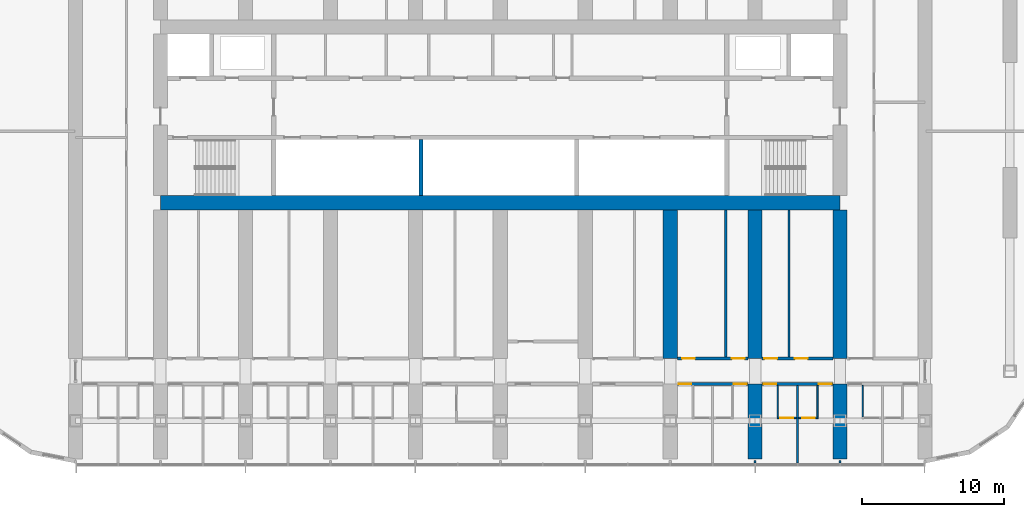
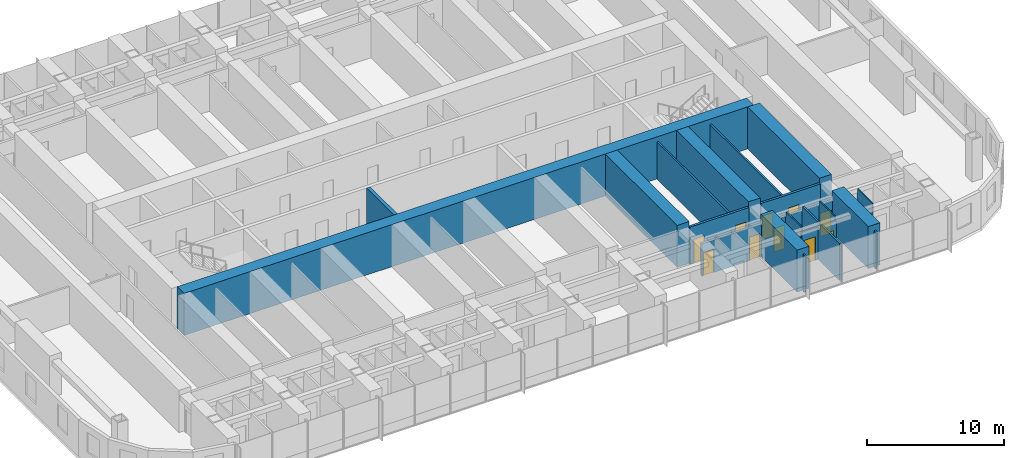
# One storey, part 13 of 24: 21 walls, 10 doors, 10 openings.
"""IFC4 building model written with IfcOpenShell, lengths in metres."""

from ifc_helpers import new_model, si_unit, direction, frame, frame_2d, origin, place, context, subcontext, project, spatial, polyline, rectangle, outline, extrude, material, layer, layer_set, type_object, element, fill, save


model = new_model("IFC4")

# Units and contexts
model_context = context("Model", 3, precision=1e-05, world=origin(), true_north=direction((0.0, 1.0)))
body_context = subcontext(model_context, "Body", "Model", "MODEL_VIEW")
ifc_project = project(units=[si_unit("LENGTHUNIT", "METRE"), si_unit("AREAUNIT", "SQUARE_METRE"), si_unit("VOLUMEUNIT", "CUBIC_METRE"), si_unit("PLANEANGLEUNIT", "RADIAN"), si_unit("MASSUNIT", "GRAM", prefix="KILO")], contexts=[model_context])

# Site, building, storey
site_placement = place(None, origin())
site = spatial("IfcSite", under=ifc_project, at=site_placement, CompositionType="ELEMENT")
building_placement = place(site_placement, origin())
building = spatial("IfcBuilding", under=site, at=building_placement, Name="Orbita Commons", CompositionType="ELEMENT")
storey_placement = place(building_placement, frame((0.0, 0.0, 35.199951171875)))
storey = spatial("IfcBuildingStorey", under=building, at=storey_placement, Name="L08", CompositionType="ELEMENT", Elevation=35.199951171875)

# Walls
ifc_material_1 = material(Name="Concrete C50/60", Category="concrete")
ifc_layer_1 = layer(ifc_material_1, 0.300048828125)
ifc_layer_set_1 = layer_set([ifc_layer_1], Name="Concrete C50/60")
wall_type_1 = type_object("IfcWallType", Name="Core inner wall 300 C50/60", PredefinedType="SHEAR", material=ifc_layer_set_1)
wall_1_placement = place(storey_placement, frame((36.39990234375, 26.300048828125, 0.0), z_axis=(0.0, 0.0, 1.0), x_axis=(0.0, 1.0, 0.0)))
element("IfcWall", 1, at=wall_1_placement, inside=storey, type_object=wall_type_1, Name="Hoistway division wall L08", PredefinedType="SHEAR", context=body_context, shape_type="SweptSolid", body=[
    extrude(rectangle(XDim=3.949951171875, YDim=0.300048828125, at=frame_2d((1.97509765625, 0.0))), origin(), (0.0, 0.0, 1.0), 3.75),
])
ifc_material_2 = material(Name="Concrete C50/60", Category="concrete")
ifc_layer_2 = layer(ifc_material_2, 1.0)
ifc_layer_set_2 = layer_set([ifc_layer_2], Name="Concrete C50/60")
wall_type_2 = type_object("IfcWallType", Name="Core wall 1000 C50/60", PredefinedType="SHEAR", material=ifc_layer_set_2)
wall_2_placement = place(storey_placement, frame((18.0, 25.800048828125, 0.0), z_axis=(0.0, 0.0, 1.0), x_axis=(1.0, 0.0, 0.0)))
element("IfcWall", 2, at=wall_2_placement, inside=storey, type_object=wall_type_2, Name="Core spine wall south L08", PredefinedType="SHEAR", context=body_context, shape_type="SweptSolid", body=[
    extrude(rectangle(XDim=48.0, YDim=1.0, at=frame_2d((24.0, 0.0))), origin(), (0.0, 0.0, 1.0), 3.75),
])

# Wall, openings, doors
ifc_material_3 = material(Name="Concrete blockwork", Category="masonry")
ifc_layer_3 = layer(ifc_material_3, 0.199951171875)
ifc_layer_set_3 = layer_set([ifc_layer_3], Name="Concrete blockwork")
wall_type_3 = type_object("IfcWallType", Name="Corridor wall 200 blockwork", PredefinedType="SOLIDWALL", material=ifc_layer_set_3)
wall_3_placement = place(storey_placement, frame((54.5, 13.0, 0.0), z_axis=(0.0, 0.0, 1.0), x_axis=(1.0, 0.0, 0.0)))
wall_3 = element("IfcWall", 3, at=wall_3_placement, inside=storey, type_object=wall_type_3, Name="Corridor wall 200 blockwork L08", PredefinedType="SOLIDWALL", context=body_context, shape_type="SweptSolid", body=[
    extrude(outline(polyline([(0.0, 0.0), (5.0, 0.0), (5.0, 2.900146484375), (0.0, 2.900146484375), (0.0, 0.0)])), frame((0.0, 0.10009765625, 0.0), z_axis=(0.0, -1.0, 0.0), x_axis=(1.0, 0.0, 0.0)), (0.0, 0.0, 1.0), 0.199951171875),
])
opening_1_placement = place(wall_3_placement, frame((0.10009765625, 0.0, 0.0)))
opening_1 = element("IfcOpeningElement", 4, at=opening_1_placement, cuts=wall_3, Name="Opening D11", PredefinedType="OPENING", context=body_context, shape_type="SweptSolid", body=[
    extrude(rectangle(XDim=0.89990234375, YDim=2.10009765625, at=frame_2d((0.449951171875, 1.050048828125))), frame((0.0, 0.10986328125, 0.0), z_axis=(0.0, -1.0, 0.0), x_axis=(1.0, 0.0, 0.0)), (0.0, 0.0, 1.0), 0.219970703125),
])
opening_2_placement = place(wall_3_placement, frame((4.0, 0.0, 0.0)))
opening_2 = element("IfcOpeningElement", 5, at=opening_2_placement, cuts=wall_3, Name="Opening D11", PredefinedType="OPENING", context=body_context, shape_type="SweptSolid", body=[
    extrude(rectangle(XDim=0.89990234375, YDim=2.10009765625, at=frame_2d((0.449951171875, 1.050048828125))), frame((0.0, 0.10986328125, 0.0), z_axis=(0.0, -1.0, 0.0), x_axis=(1.0, 0.0, 0.0)), (0.0, 0.0, 1.0), 0.219970703125),
])
ifc_material_4 = material(Name="Steel-faced fire door leaf", Category="steel")
door_type_1 = type_object("IfcDoorType", Name="Corridor door 20 min 900x2100", OperationType="SINGLE_SWING_LEFT", PredefinedType="DOOR", material=ifc_material_4)
door_1_placement = place(opening_1_placement, origin())
door_1 = element("IfcDoor", 6, at=door_1_placement, inside=storey, type_object=door_type_1, Name="House bedroom L08-S14 door", OperationType="SINGLE_SWING_LEFT", OverallHeight=2.10009765625, OverallWidth=0.89990234375, PredefinedType="DOOR", context=body_context, shape_type="SweptSolid", body=[
    extrude(rectangle(XDim=0.89990234375, YDim=2.10009765625, at=frame_2d((0.449951171875, 1.050048828125))), frame((0.0, 0.02490234375, 0.0), z_axis=(0.0, -1.0, 0.0), x_axis=(1.0, 0.0, 0.0)), (0.0, 0.0, 1.0), 0.050048828125),
])
fill(opening_1, door_1)
door_2_placement = place(opening_2_placement, origin())
door_2 = element("IfcDoor", 7, at=door_2_placement, inside=storey, type_object=door_type_1, Name="House bedroom L08-S15 door", OperationType="SINGLE_SWING_LEFT", OverallHeight=2.10009765625, OverallWidth=0.89990234375, PredefinedType="DOOR", context=body_context, shape_type="SweptSolid", body=[
    extrude(rectangle(XDim=0.89990234375, YDim=2.10009765625, at=frame_2d((0.449951171875, 1.050048828125))), frame((0.0, 0.02490234375, 0.0), z_axis=(0.0, -1.0, 0.0), x_axis=(1.0, 0.0, 0.0)), (0.0, 0.0, 1.0), 0.050048828125),
])
fill(opening_2, door_2)

wall_4_placement = place(storey_placement, frame((60.5, 13.0, 0.0), z_axis=(0.0, 0.0, 1.0), x_axis=(1.0, 0.0, 0.0)))
wall_4 = element("IfcWall", 8, at=wall_4_placement, inside=storey, type_object=wall_type_3, Name="Corridor wall 200 blockwork L08", PredefinedType="SOLIDWALL", context=body_context, shape_type="SweptSolid", body=[
    extrude(outline(polyline([(0.0, 0.0), (5.0, 0.0), (5.0, 2.900146484375), (0.0, 2.900146484375), (0.0, 0.0)])), frame((0.0, 0.10009765625, 0.0), z_axis=(0.0, -1.0, 0.0), x_axis=(1.0, 0.0, 0.0)), (0.0, 0.0, 1.0), 0.199951171875),
])
opening_3_placement = place(wall_4_placement, frame((0.10009765625, 0.0, 0.0)))
opening_3 = element("IfcOpeningElement", 9, at=opening_3_placement, cuts=wall_4, Name="Opening D11", PredefinedType="OPENING", context=body_context, shape_type="SweptSolid", body=[
    extrude(rectangle(XDim=0.89990234375, YDim=2.10009765625, at=frame_2d((0.449951171875, 1.050048828125))), frame((0.0, 0.10986328125, 0.0), z_axis=(0.0, -1.0, 0.0), x_axis=(1.0, 0.0, 0.0)), (0.0, 0.0, 1.0), 0.219970703125),
])
opening_4_placement = place(wall_4_placement, frame((4.0, 0.0, 0.0)))
opening_4 = element("IfcOpeningElement", 10, at=opening_4_placement, cuts=wall_4, Name="Opening D11", PredefinedType="OPENING", context=body_context, shape_type="SweptSolid", body=[
    extrude(rectangle(XDim=0.89990234375, YDim=2.10009765625, at=frame_2d((0.449951171875, 1.050048828125))), frame((0.0, 0.10986328125, 0.0), z_axis=(0.0, -1.0, 0.0), x_axis=(1.0, 0.0, 0.0)), (0.0, 0.0, 1.0), 0.219970703125),
])
door_3_placement = place(opening_3_placement, origin())
door_3 = element("IfcDoor", 11, at=door_3_placement, inside=storey, type_object=door_type_1, Name="House bedroom L08-S16 door", OperationType="SINGLE_SWING_LEFT", OverallHeight=2.10009765625, OverallWidth=0.89990234375, PredefinedType="DOOR", context=body_context, shape_type="SweptSolid", body=[
    extrude(rectangle(XDim=0.89990234375, YDim=2.10009765625, at=frame_2d((0.449951171875, 1.050048828125))), frame((0.0, 0.02490234375, 0.0), z_axis=(0.0, -1.0, 0.0), x_axis=(1.0, 0.0, 0.0)), (0.0, 0.0, 1.0), 0.050048828125),
])
fill(opening_3, door_3)
door_4_placement = place(opening_4_placement, origin())
door_4 = element("IfcDoor", 12, at=door_4_placement, inside=storey, type_object=door_type_1, Name="House bedroom L08-S17 door", OperationType="SINGLE_SWING_LEFT", OverallHeight=2.10009765625, OverallWidth=0.89990234375, PredefinedType="DOOR", context=body_context, shape_type="SweptSolid", body=[
    extrude(rectangle(XDim=0.89990234375, YDim=2.10009765625, at=frame_2d((0.449951171875, 1.050048828125))), frame((0.0, 0.02490234375, 0.0), z_axis=(0.0, -1.0, 0.0), x_axis=(1.0, 0.0, 0.0)), (0.0, 0.0, 1.0), 0.050048828125),
])
fill(opening_4, door_4)

ifc_material_5 = material(Name="Hollow concrete block 200", Category="concrete")
ifc_layer_4 = layer(ifc_material_5, 0.199951171875)
ifc_layer_set_4 = layer_set([ifc_layer_4], Name="Hollow concrete block 200")
wall_type_4 = type_object("IfcWallType", Name="Corridor wall 200 hollow concrete block", PredefinedType="SOLIDWALL", material=ifc_layer_set_4)
wall_5_placement = place(storey_placement, frame((54.5, 14.800048828125, 0.0), z_axis=(0.0, 0.0, 1.0), x_axis=(1.0, 0.0, 0.0)))
wall_5 = element("IfcWall", 13, at=wall_5_placement, inside=storey, type_object=wall_type_4, Name="Corridor wall 200 hollow concrete block L08", PredefinedType="SOLIDWALL", context=body_context, shape_type="SweptSolid", body=[
    extrude(rectangle(XDim=5.0, YDim=0.199951171875, at=frame_2d((2.5, 0.0))), origin(), (0.0, 0.0, 1.0), 3.300048828125),
])
opening_5_placement = place(wall_5_placement, frame((0.35009765625, 0.0, 0.0)))
opening_5 = element("IfcOpeningElement", 14, at=opening_5_placement, cuts=wall_5, Name="Opening D11", PredefinedType="OPENING", context=body_context, shape_type="SweptSolid", body=[
    extrude(rectangle(XDim=0.89990234375, YDim=2.10009765625, at=frame_2d((0.449951171875, 1.050048828125))), frame((0.0, 0.10986328125, 0.0), z_axis=(0.0, -1.0, 0.0), x_axis=(1.0, 0.0, 0.0)), (0.0, 0.0, 1.0), 0.219970703125),
])
opening_6_placement = place(wall_5_placement, frame((3.85009765625, 0.0, 0.0)))
opening_6 = element("IfcOpeningElement", 15, at=opening_6_placement, cuts=wall_5, Name="Opening D11", PredefinedType="OPENING", context=body_context, shape_type="SweptSolid", body=[
    extrude(rectangle(XDim=0.89990234375, YDim=2.10009765625, at=frame_2d((0.449951171875, 1.050048828125))), frame((0.0, 0.10986328125, 0.0), z_axis=(0.0, -1.0, 0.0), x_axis=(1.0, 0.0, 0.0)), (0.0, 0.0, 1.0), 0.219970703125),
])
door_5_placement = place(opening_5_placement, origin())
door_5 = element("IfcDoor", 16, at=door_5_placement, inside=storey, type_object=door_type_1, Name="Ventilation plant room north L08-BDS54 door", OperationType="SINGLE_SWING_LEFT", OverallHeight=2.10009765625, OverallWidth=0.89990234375, PredefinedType="DOOR", context=body_context, shape_type="SweptSolid", body=[
    extrude(rectangle(XDim=0.89990234375, YDim=2.10009765625, at=frame_2d((0.449951171875, 1.050048828125))), frame((0.0, 0.02490234375, 0.0), z_axis=(0.0, -1.0, 0.0), x_axis=(1.0, 0.0, 0.0)), (0.0, 0.0, 1.0), 0.050048828125),
])
fill(opening_5, door_5)
door_6_placement = place(opening_6_placement, origin())
door_6 = element("IfcDoor", 17, at=door_6_placement, inside=storey, type_object=door_type_1, Name="Water heater cupboard L08-BDS54n door", OperationType="SINGLE_SWING_LEFT", OverallHeight=2.10009765625, OverallWidth=0.89990234375, PredefinedType="DOOR", context=body_context, shape_type="SweptSolid", body=[
    extrude(rectangle(XDim=0.89990234375, YDim=2.10009765625, at=frame_2d((0.449951171875, 1.050048828125))), frame((0.0, 0.02490234375, 0.0), z_axis=(0.0, -1.0, 0.0), x_axis=(1.0, 0.0, 0.0)), (0.0, 0.0, 1.0), 0.050048828125),
])
fill(opening_6, door_6)

wall_6_placement = place(storey_placement, frame((60.5, 14.800048828125, 0.0), z_axis=(0.0, 0.0, 1.0), x_axis=(1.0, 0.0, 0.0)))
wall_6 = element("IfcWall", 18, at=wall_6_placement, inside=storey, type_object=wall_type_4, Name="Corridor wall 200 hollow concrete block L08", PredefinedType="SOLIDWALL", context=body_context, shape_type="SweptSolid", body=[
    extrude(rectangle(XDim=5.0, YDim=0.199951171875, at=frame_2d((2.5, 0.0))), origin(), (0.0, 0.0, 1.0), 3.300048828125),
])
opening_7_placement = place(wall_6_placement, frame((0.14990234375, 0.0, 0.0)))
opening_7 = element("IfcOpeningElement", 19, at=opening_7_placement, cuts=wall_6, Name="Opening D11", PredefinedType="OPENING", context=body_context, shape_type="SweptSolid", body=[
    extrude(rectangle(XDim=0.89990234375, YDim=2.10009765625, at=frame_2d((0.449951171875, 1.050048828125))), frame((0.0, 0.10986328125, 0.0), z_axis=(0.0, -1.0, 0.0), x_axis=(1.0, 0.0, 0.0)), (0.0, 0.0, 1.0), 0.219970703125),
])
opening_8_placement = place(wall_6_placement, frame((2.31005859375, 0.0, 0.0)))
opening_8 = element("IfcOpeningElement", 20, at=opening_8_placement, cuts=wall_6, Name="Opening D11", PredefinedType="OPENING", context=body_context, shape_type="SweptSolid", body=[
    extrude(rectangle(XDim=0.89990234375, YDim=2.10009765625, at=frame_2d((0.449951171875, 1.050048828125))), frame((0.0, 0.10986328125, 0.0), z_axis=(0.0, -1.0, 0.0), x_axis=(1.0, 0.0, 0.0)), (0.0, 0.0, 1.0), 0.219970703125),
])
door_7_placement = place(opening_7_placement, origin())
door_7 = element("IfcDoor", 21, at=door_7_placement, inside=storey, type_object=door_type_1, Name="Equipment store L08-BDS60n door", OperationType="SINGLE_SWING_LEFT", OverallHeight=2.10009765625, OverallWidth=0.89990234375, PredefinedType="DOOR", context=body_context, shape_type="SweptSolid", body=[
    extrude(rectangle(XDim=0.89990234375, YDim=2.10009765625, at=frame_2d((0.449951171875, 1.050048828125))), frame((0.0, 0.02490234375, 0.0), z_axis=(0.0, -1.0, 0.0), x_axis=(1.0, 0.0, 0.0)), (0.0, 0.0, 1.0), 0.050048828125),
])
fill(opening_7, door_7)
door_8_placement = place(opening_8_placement, origin())
door_8 = element("IfcDoor", 22, at=door_8_placement, inside=storey, type_object=door_type_1, Name="Electrical and data room L08-BDS60 door", OperationType="SINGLE_SWING_LEFT", OverallHeight=2.10009765625, OverallWidth=0.89990234375, PredefinedType="DOOR", context=body_context, shape_type="SweptSolid", body=[
    extrude(rectangle(XDim=0.89990234375, YDim=2.10009765625, at=frame_2d((0.449951171875, 1.050048828125))), frame((0.0, 0.02490234375, 0.0), z_axis=(0.0, -1.0, 0.0), x_axis=(1.0, 0.0, 0.0)), (0.0, 0.0, 1.0), 0.050048828125),
])
fill(opening_8, door_8)

# Walls
ifc_material_6 = material(Name="Concrete C50/60", Category="concrete")
ifc_layer_5 = layer(ifc_material_6, 1.0)
ifc_layer_set_5 = layer_set([ifc_layer_5], Name="Concrete C50/60")
wall_type_5 = type_object("IfcWallType", Name="Cross wall 1000 C50/60", PredefinedType="SHEAR", material=ifc_layer_set_5)
wall_7_placement = place(storey_placement, frame((54.0, 14.800048828125, 0.0), z_axis=(0.0, 0.0, 1.0), x_axis=(0.0, 1.0, 0.0)))
element("IfcWall", 23, at=wall_7_placement, inside=storey, type_object=wall_type_5, Name="Cross wall 10 south inner L08", PredefinedType="SHEAR", context=body_context, shape_type="SweptSolid", body=[
    extrude(rectangle(XDim=10.5, YDim=1.0, at=frame_2d((5.25, 0.0))), origin(), (0.0, 0.0, 1.0), 3.75),
])
wall_8_placement = place(storey_placement, frame((60.0, 7.699951171875, 0.0), z_axis=(0.0, 0.0, 1.0), x_axis=(0.0, 1.0, 0.0)))
element("IfcWall", 24, at=wall_8_placement, inside=storey, type_object=wall_type_5, Name="Cross wall 11 south outer L08", PredefinedType="SHEAR", context=body_context, shape_type="SweptSolid", body=[
    extrude(rectangle(XDim=5.300048828125, YDim=1.0, at=frame_2d((2.64990234375, 0.0))), origin(), (0.0, 0.0, 1.0), 3.75),
])
wall_9_placement = place(storey_placement, frame((60.0, 14.800048828125, 0.0), z_axis=(0.0, 0.0, 1.0), x_axis=(0.0, 1.0, 0.0)))
element("IfcWall", 25, at=wall_9_placement, inside=storey, type_object=wall_type_5, Name="Cross wall 11 south inner L08", PredefinedType="SHEAR", context=body_context, shape_type="SweptSolid", body=[
    extrude(rectangle(XDim=10.5, YDim=1.0, at=frame_2d((5.25, 0.0))), origin(), (0.0, 0.0, 1.0), 3.75),
])
wall_10_placement = place(storey_placement, frame((66.0, 7.699951171875, 0.0), z_axis=(0.0, 0.0, 1.0), x_axis=(0.0, 1.0, 0.0)))
element("IfcWall", 26, at=wall_10_placement, inside=storey, type_object=wall_type_5, Name="Cross wall 12 south outer L08", PredefinedType="SHEAR", context=body_context, shape_type="SweptSolid", body=[
    extrude(rectangle(XDim=5.300048828125, YDim=1.0, at=frame_2d((2.64990234375, 0.0))), origin(), (0.0, 0.0, 1.0), 3.75),
])
wall_11_placement = place(storey_placement, frame((66.0, 14.800048828125, 0.0), z_axis=(0.0, 0.0, 1.0), x_axis=(0.0, 1.0, 0.0)))
element("IfcWall", 27, at=wall_11_placement, inside=storey, type_object=wall_type_5, Name="Cross wall 12 south inner L08", PredefinedType="SHEAR", context=body_context, shape_type="SweptSolid", body=[
    extrude(rectangle(XDim=10.5, YDim=1.0, at=frame_2d((5.25, 0.0))), origin(), (0.0, 0.0, 1.0), 3.75),
])

# Wall, opening, door
ifc_material_7 = material(Name="Moisture-resistant plasterboard on steel studs", Category="steel")
ifc_layer_6 = layer(ifc_material_7, 0.10009765625)
ifc_layer_set_6 = layer_set([ifc_layer_6], Name="Moisture-resistant plasterboard on steel studs")
wall_type_6 = type_object("IfcWallType", Name="En-suite partition 100", PredefinedType="PARTITIONING", material=ifc_layer_set_6)
wall_12_placement = place(storey_placement, frame((62.925048828125, 10.59814453125, 0.0), z_axis=(0.0, 0.0, 1.0), x_axis=(-1.0, 0.0, 0.0)))
wall_12 = element("IfcWall", 28, at=wall_12_placement, inside=storey, type_object=wall_type_6, Name="En-suite partition 100 L08", PredefinedType="PARTITIONING", context=body_context, shape_type="SweptSolid", body=[
    extrude(outline(polyline([(0.0, 0.0), (1.375, 0.0), (1.375, 2.900146484375), (0.0, 2.900146484375), (0.0, 0.0)])), frame((0.0, 0.050048828125, 0.0), z_axis=(0.0, -1.0, 0.0), x_axis=(1.0, 0.0, 0.0)), (0.0, 0.0, 1.0), 0.10009765625),
])
opening_9_placement = place(wall_12_placement, frame((0.237548828125, 0.0, 0.0)))
opening_9 = element("IfcOpeningElement", 29, at=opening_9_placement, cuts=wall_12, Name="Opening D09", PredefinedType="OPENING", context=body_context, shape_type="SweptSolid", body=[
    extrude(rectangle(XDim=0.89990234375, YDim=2.10009765625, at=frame_2d((0.449951171875, 1.050048828125))), frame((0.0, 0.06005859375, 0.0), z_axis=(0.0, -1.0, 0.0), x_axis=(1.0, 0.0, 0.0)), (0.0, 0.0, 1.0), 0.1201171875),
])
ifc_material_8 = material(Name="Laminated timber door leaf", Category="wood")
door_type_2 = type_object("IfcDoorType", Name="En-suite door 900x2100", OperationType="SINGLE_SWING_RIGHT", PredefinedType="DOOR", material=ifc_material_8)
door_9_placement = place(opening_9_placement, origin())
door_9 = element("IfcDoor", 30, at=door_9_placement, inside=storey, type_object=door_type_2, Name="En-suite L08-S16 door", OperationType="SINGLE_SWING_RIGHT", OverallHeight=2.10009765625, OverallWidth=0.89990234375, PredefinedType="DOOR", context=body_context, shape_type="SweptSolid", body=[
    extrude(rectangle(XDim=0.89990234375, YDim=2.10009765625, at=frame_2d((0.449951171875, 1.050048828125))), frame((0.0, 0.02490234375, 0.0), z_axis=(0.0, -1.0, 0.0), x_axis=(1.0, 0.0, 0.0)), (0.0, 0.0, 1.0), 0.050048828125),
])
fill(opening_9, door_9)

# Wall
wall_13_placement = place(storey_placement, frame((61.60009765625, 10.648193359375, 0.0), z_axis=(0.0, 0.0, 1.0), x_axis=(0.0, 1.0, 0.0)))
element("IfcWall", 31, at=wall_13_placement, inside=storey, type_object=wall_type_6, Name="En-suite partition 100 L08", PredefinedType="PARTITIONING", context=body_context, shape_type="SweptSolid", body=[
    extrude(outline(polyline([(0.0, 0.0), (2.251708984375, 0.0), (2.251953125, 2.900146484375), (2.203857421875, 2.900146484375), (2.201904296875, 3.300048828125), (0.0, 3.300048828125), (0.0, 0.0)])), frame((0.0, 0.050048828125, 0.0), z_axis=(0.0, -1.0, 0.0), x_axis=(1.0, 0.0, 0.0)), (0.0, 0.0, 1.0), 0.10009765625),
])

# Wall, opening, door
wall_14_placement = place(storey_placement, frame((64.449951171875, 10.59814453125, 0.0), z_axis=(0.0, 0.0, 1.0), x_axis=(-1.0, 0.0, 0.0)))
wall_14 = element("IfcWall", 32, at=wall_14_placement, inside=storey, type_object=wall_type_6, Name="En-suite partition 100 L08", PredefinedType="PARTITIONING", context=body_context, shape_type="SweptSolid", body=[
    extrude(outline(polyline([(0.0, 0.0), (1.375, 0.0), (1.375, 2.900146484375), (0.0, 2.900146484375), (0.0, 0.0)])), frame((0.0, 0.050048828125, 0.0), z_axis=(0.0, -1.0, 0.0), x_axis=(1.0, 0.0, 0.0)), (0.0, 0.0, 1.0), 0.10009765625),
])
opening_10_placement = place(wall_14_placement, frame((0.237548828125, 0.0, 0.0)))
opening_10 = element("IfcOpeningElement", 33, at=opening_10_placement, cuts=wall_14, Name="Opening D09", PredefinedType="OPENING", context=body_context, shape_type="SweptSolid", body=[
    extrude(rectangle(XDim=0.89990234375, YDim=2.10009765625, at=frame_2d((0.449951171875, 1.050048828125))), frame((0.0, 0.06005859375, 0.0), z_axis=(0.0, -1.0, 0.0), x_axis=(1.0, 0.0, 0.0)), (0.0, 0.0, 1.0), 0.1201171875),
])
door_10_placement = place(opening_10_placement, origin())
door_10 = element("IfcDoor", 34, at=door_10_placement, inside=storey, type_object=door_type_2, Name="En-suite L08-S17 door", OperationType="SINGLE_SWING_RIGHT", OverallHeight=2.10009765625, OverallWidth=0.89990234375, PredefinedType="DOOR", context=body_context, shape_type="SweptSolid", body=[
    extrude(rectangle(XDim=0.89990234375, YDim=2.10009765625, at=frame_2d((0.449951171875, 1.050048828125))), frame((0.0, 0.02490234375, 0.0), z_axis=(0.0, -1.0, 0.0), x_axis=(1.0, 0.0, 0.0)), (0.0, 0.0, 1.0), 0.050048828125),
])
fill(opening_10, door_10)

# Walls
for number, where, z_axis, x_axis, name in (
    (35, (64.39990234375, 10.648193359375, 0.0), (0.0, 0.0, 1.0), (0.0, 1.0, 0.0), "En-suite partition 100 L08"),
    (36, (67.60009765625, 10.648193359375, 0.0), (0.0, 0.0, 1.0), (0.0, 1.0, 0.0), "En-suite partition 100 L08"),
):
    element("IfcWall", number, at=place(storey_placement, frame(where, z_axis=z_axis, x_axis=x_axis)), inside=storey, type_object=wall_type_6, Name=name, PredefinedType="PARTITIONING", context=body_context, shape_type="SweptSolid", body=[
        extrude(outline(polyline([(0.0, 0.0), (2.251708984375, 0.0), (2.251953125, 2.900146484375), (2.203857421875, 2.900146484375), (2.201904296875, 3.300048828125), (0.0, 3.300048828125), (0.0, 0.0)])), frame((0.0, 0.050048828125, 0.0), z_axis=(0.0, -1.0, 0.0), x_axis=(1.0, 0.0, 0.0)), (0.0, 0.0, 1.0), 0.10009765625),
    ])
ifc_material_9 = material(Name="Gypsum plasterboard on steel studs", Category="steel")
ifc_layer_7 = layer(ifc_material_9, 0.14990234375)
ifc_layer_set_7 = layer_set([ifc_layer_7], Name="Gypsum plasterboard on steel studs")
wall_type_7 = type_object("IfcWallType", Name="Partition 150 plasterboard", PredefinedType="PARTITIONING", material=ifc_layer_set_7)
for number, where, z_axis, x_axis, name in (
    (37, (57.925048828125, 14.89990234375, 0.0), (0.0, 0.0, 1.0), (0.0, 1.0, 0.0), "Partition 150 plasterboard L08"),
    (38, (62.385009765625, 14.89990234375, 0.0), (0.0, 0.0, 1.0), (0.0, 1.0, 0.0), "Partition 150 plasterboard L08"),
):
    element("IfcWall", number, at=place(storey_placement, frame(where, z_axis=z_axis, x_axis=x_axis)), inside=storey, type_object=wall_type_7, Name=name, PredefinedType="PARTITIONING", context=body_context, shape_type="SweptSolid", body=[
        extrude(rectangle(XDim=10.400146484375, YDim=0.14990234375, at=frame_2d((5.2001953125, 0.0))), origin(), (0.0, 0.0, 1.0), 3.300048828125),
    ])
for number, where, z_axis, x_axis, name in (
    (39, (60.0, 7.60009765625, 0.0), (0.0, 0.0, 1.0), (0.0, -1.0, 0.0), "Partition 150 plasterboard L08"),
    (40, (66.0, 7.60009765625, 0.0), (0.0, 0.0, 1.0), (0.0, -1.0, 0.0), "Partition 150 plasterboard L08"),
):
    element("IfcWall", number, at=place(storey_placement, frame(where, z_axis=z_axis, x_axis=x_axis)), inside=storey, type_object=wall_type_7, Name=name, PredefinedType="PARTITIONING", context=body_context, shape_type="SweptSolid", body=[
        extrude(rectangle(XDim=0.190185546875, YDim=0.14990234375, at=frame_2d((0.09521484375, 0.0))), origin(), (0.0, 0.0, 1.0), 3.300048828125),
    ])
ifc_material_10 = material(Name="Gypsum plasterboard on steel studs", Category="steel")
ifc_layer_8 = layer(ifc_material_10, 0.14990234375)
ifc_layer_set_8 = layer_set([ifc_layer_8], Name="Gypsum plasterboard on steel studs")
wall_type_8 = type_object("IfcWallType", Name="Party wall 150 plasterboard", PredefinedType="PARTITIONING", material=ifc_layer_set_8)
wall_15_placement = place(storey_placement, frame((63.0, 7.409912109375, 0.0), z_axis=(0.0, 0.0, 1.0), x_axis=(0.0, 1.0, 0.0)))
element("IfcWall", 41, at=wall_15_placement, inside=storey, type_object=wall_type_8, Name="Party wall 150 plasterboard L08", PredefinedType="PARTITIONING", context=body_context, shape_type="SweptSolid", body=[
    extrude(outline(polyline([(0.0, 0.0), (5.489990234375, 0.0), (5.489990234375, 2.900146484375), (5.44189453125, 2.900146484375), (5.43994140625, 3.300048828125), (3.19189453125, 3.300048828125), (3.18994140625, 2.900146484375), (2.7919921875, 2.900146484375), (2.7900390625, 3.300048828125), (0.0, 3.300048828125), (0.0, 0.0)])), frame((0.0, 0.074951171875, 0.0), z_axis=(0.0, -1.0, 0.0), x_axis=(1.0, 0.0, 0.0)), (0.0, 0.0, 1.0), 0.14990234375),
])

save(model, "model.ifc")
